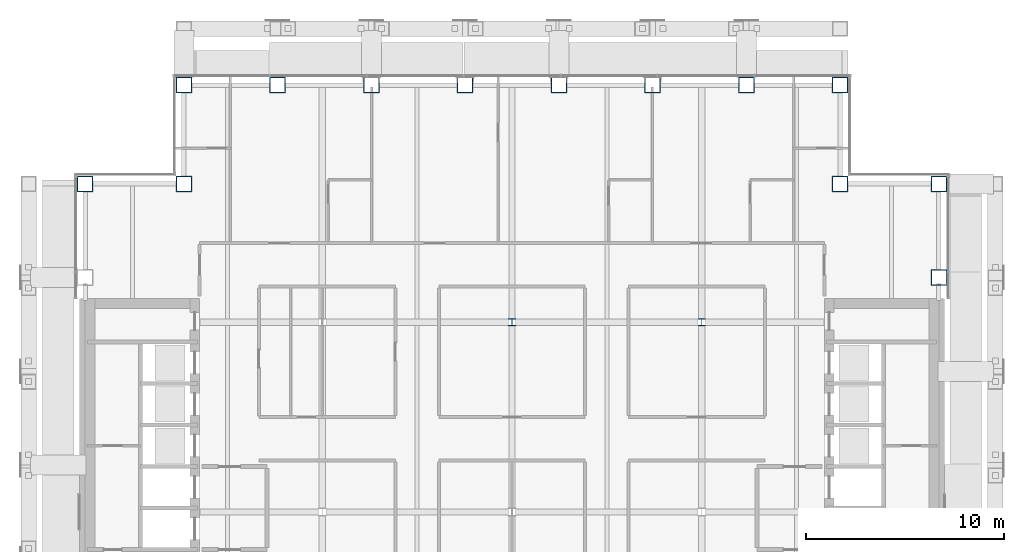
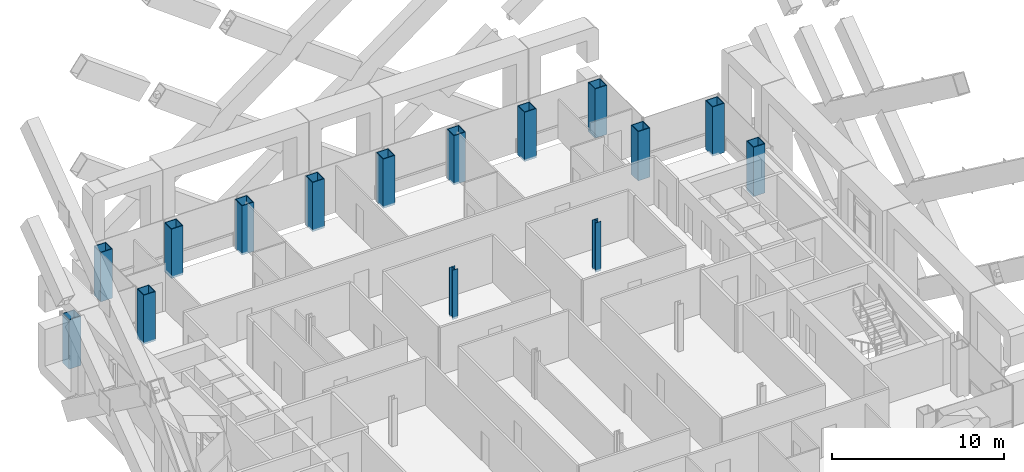
# One storey, part 2 of 25: 15 columns.
"""IFC4 building model written with IfcOpenShell, lengths in metres."""

from ifc_helpers import new_model, si_unit, direction, frame, origin, origin_2d, place, context, subcontext, project, spatial, hollow_rectangle, i_section, extrude, material, material_profile, profile_set, type_object, element, save


model = new_model("IFC4")

# Units and contexts
model_context = context("Model", 3, precision=1e-05, world=origin(), true_north=direction((0.0, 1.0)))
body_context = subcontext(model_context, "Body", "Model", "MODEL_VIEW")
ifc_project = project(units=[si_unit("LENGTHUNIT", "METRE"), si_unit("AREAUNIT", "SQUARE_METRE"), si_unit("VOLUMEUNIT", "CUBIC_METRE"), si_unit("PLANEANGLEUNIT", "RADIAN"), si_unit("MASSUNIT", "GRAM", prefix="KILO")], contexts=[model_context])

# Site, building, storey
site_placement = place(None, origin())
site = spatial("IfcSite", under=ifc_project, at=site_placement, CompositionType="ELEMENT")
building_placement = place(site_placement, origin())
building = spatial("IfcBuilding", under=site, at=building_placement, Name="Cobrizo Arcos Hotel Tower", CompositionType="ELEMENT")
storey_placement = place(building_placement, frame((0.0, 0.0, 148.0)))
storey = spatial("IfcBuildingStorey", under=building, at=storey_placement, Name="L37", CompositionType="ELEMENT", Elevation=148.0)

# Columns
ifc_material_1 = material(Name="Steel ASTM A572 Grade 50", Category="steel")
ifc_material_profile_1 = material_profile(ifc_material_1, hollow_rectangle(XDim=0.800048828125, YDim=0.800048828125, WallThickness=0.044921875, at=origin_2d()), Name="BOX 800X800X45")
ifc_profile_set_1 = profile_set([ifc_material_profile_1], Name="Steel ASTM A572 Grade 50")
column_type_1 = type_object("IfcColumnType", Name="BOX 800X800X45 column", PredefinedType="COLUMN", material=ifc_profile_set_1)
for number, where, z_axis, x_axis, name in (
    (1, (-16.60009765625, 21.60009765625, -0.14990234375), (0.0, 0.0, 1.0), (1.0, 0.0, 0.0), "Perimeter column C8, L37, no. 00"),
    (2, (-11.85693359375, 21.60009765625, -0.14990234375), (0.0, 0.0, 1.0), (1.0, 0.0, 0.0), "Perimeter column C8, L37, no. 02"),
    (3, (-7.114013671875, 21.60009765625, -0.14990234375), (0.0, 0.0, 1.0), (1.0, 0.0, 0.0), "Perimeter column C8, L37, no. 04"),
    (4, (-2.37109375, 21.60009765625, -0.14990234375), (0.0, 0.0, 1.0), (1.0, 0.0, 0.0), "Perimeter column C8, L37, no. 06"),
    (5, (2.37109375, 21.60009765625, -0.14990234375), (0.0, 0.0, 1.0), (1.0, 0.0, 0.0), "Perimeter column C8, L37, no. 08"),
    (6, (7.114013671875, 21.60009765625, -0.14990234375), (0.0, 0.0, 1.0), (1.0, 0.0, 0.0), "Perimeter column C8, L37, no. 10"),
    (7, (11.85693359375, 21.60009765625, -0.14990234375), (0.0, 0.0, 1.0), (1.0, 0.0, 0.0), "Perimeter column C8, L37, no. 12"),
    (8, (16.60009765625, 21.60009765625, -0.14990234375), (0.0, 0.0, 1.0), (1.0, 0.0, 0.0), "Perimeter column C8, L37, no. 14"),
    (9, (21.60009765625, 11.85693359375, -0.14990234375), (0.0, 0.0, 1.0), (1.0, 0.0, 0.0), "Perimeter column C8, L37, no. 20"),
    (10, (21.60009765625, 16.60009765625, -0.14990234375), (0.0, 0.0, 1.0), (1.0, 0.0, 0.0), "Perimeter column C8, L37, no. 22"),
    (11, (-21.60009765625, 16.60009765625, -0.14990234375), (0.0, 0.0, 1.0), (1.0, 0.0, 0.0), "Perimeter column C8, L37, no. 23"),
    (12, (-16.60009765625, 16.60009765625, -0.14990234375), (0.0, 0.0, 1.0), (1.0, 0.0, 0.0), "Perimeter column C8, L37, no. 25"),
    (13, (16.60009765625, 16.60009765625, -0.14990234375), (0.0, 0.0, 1.0), (1.0, 0.0, 0.0), "Perimeter column C8, L37, no. 27"),
):
    element("IfcColumn", number, at=place(storey_placement, frame(where, z_axis=z_axis, x_axis=x_axis)), inside=storey, type_object=column_type_1, Name=name, PredefinedType="COLUMN", context=body_context, shape_type="SweptSolid", body=[
        extrude(hollow_rectangle(XDim=0.800048828125, YDim=0.800048828125, WallThickness=0.044921875, at=origin_2d()), origin(), (0.0, 0.0, 1.0), 3.5),
    ])
ifc_material_2 = material(Name="Steel ASTM A992 Grade 50", Category="steel")
ifc_material_profile_2 = material_profile(ifc_material_2, i_section(OverallWidth=0.373291015625, OverallDepth=0.373291015625, WebThickness=0.016357421875, FlangeThickness=0.026123046875, at=origin_2d()), Name="W14X132")
ifc_profile_set_2 = profile_set([ifc_material_profile_2], Name="Steel ASTM A992 Grade 50")
column_type_2 = type_object("IfcColumnType", Name="W14X132 interior column", PredefinedType="COLUMN", material=ifc_profile_set_2)
for number, where, z_axis, x_axis, name in (
    (14, (0.0, 9.60009765625, -0.14990234375), (0.0, 0.0, 1.0), (1.0, 0.0, 0.0), "Interior column C9, L37, no. 05"),
    (15, (9.60009765625, 9.60009765625, -0.14990234375), (0.0, 0.0, 1.0), (1.0, 0.0, 0.0), "Interior column C9, L37, no. 08"),
):
    element("IfcColumn", number, at=place(storey_placement, frame(where, z_axis=z_axis, x_axis=x_axis)), inside=storey, type_object=column_type_2, Name=name, PredefinedType="COLUMN", context=body_context, shape_type="SweptSolid", body=[
        extrude(i_section(OverallWidth=0.373291015625, OverallDepth=0.373291015625, WebThickness=0.016357421875, FlangeThickness=0.026123046875, at=origin_2d()), origin(), (0.0, 0.0, 1.0), 3.5),
    ])

save(model, "model.ifc")
